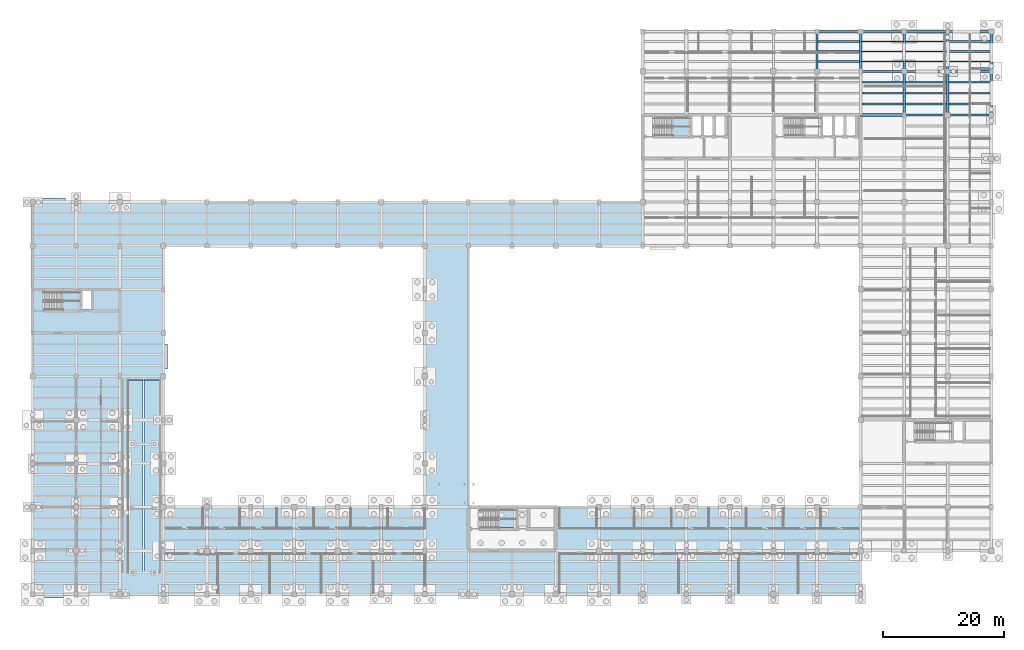
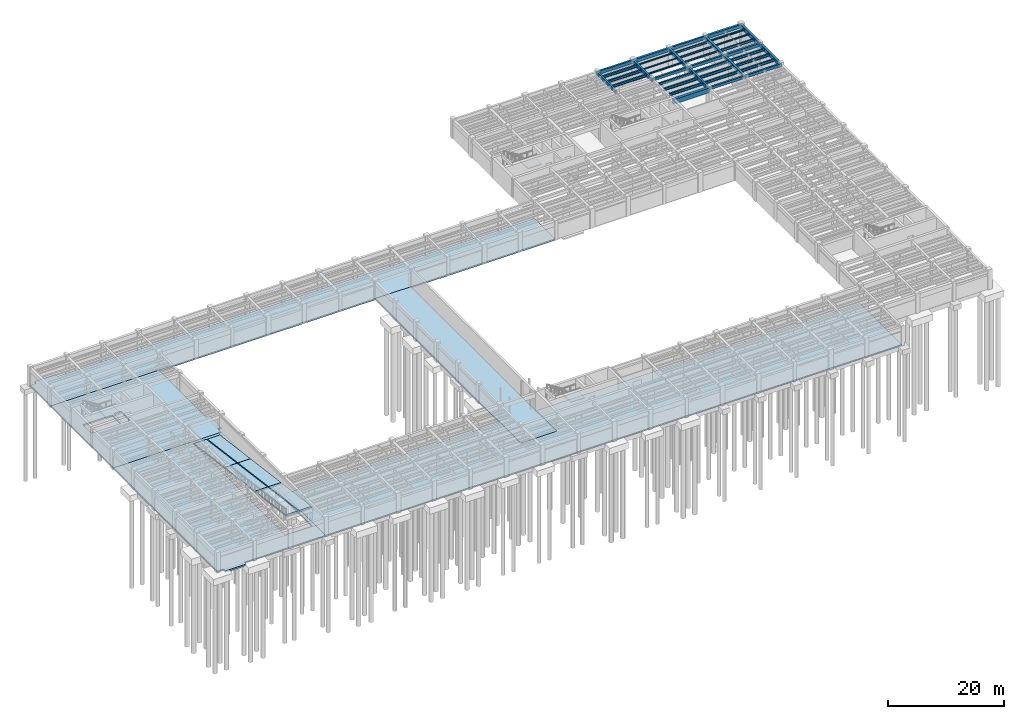
# One storey, part 14 of 33: 39 beams, 14 slabs, 3 elements without a shape of their own.
"""IFC4 building model written with IfcOpenShell, lengths in metres."""

from ifc_helpers import new_model, si_unit, direction, frame, origin, origin_2d, place, context, subcontext, project, spatial, polyline, rectangle, i_section, outline, extrude, material, layer, layer_set, material_profile, profile_set, type_object, element, aggregate, save


model = new_model("IFC4")

# Units and contexts
model_context = context("Model", 3, precision=1e-05, world=origin(), true_north=direction((0.0, 1.0)))
body_context = subcontext(model_context, "Body", "Model", "MODEL_VIEW")
ifc_project = project(units=[si_unit("LENGTHUNIT", "METRE"), si_unit("AREAUNIT", "SQUARE_METRE"), si_unit("VOLUMEUNIT", "CUBIC_METRE"), si_unit("PLANEANGLEUNIT", "RADIAN"), si_unit("MASSUNIT", "GRAM", prefix="KILO")], contexts=[model_context])

# Site, building, storey
site_placement = place(None, origin())
site = spatial("IfcSite", under=ifc_project, at=site_placement, CompositionType="ELEMENT")
building_placement = place(site_placement, origin())
building = spatial("IfcBuilding", under=site, at=building_placement, Name="Mithqara Police Headquarters", CompositionType="ELEMENT")
storey_placement = place(building_placement, frame((0.0, 0.0, -4.199951171875)))
storey = spatial("IfcBuildingStorey", under=building, at=storey_placement, Name="B1", CompositionType="ELEMENT", Elevation=-4.199951171875)

# Beams
ifc_material_1 = material(Name="Steel S355JR", Category="steel")
ifc_material_profile_1 = material_profile(ifc_material_1, i_section(OverallWidth=0.300048828125, OverallDepth=0.550048828125, WebThickness=0.014892578125, FlangeThickness=0.029052734375, FilletRadius=0.027099609375, at=origin_2d()), Name="HEB 550")
ifc_profile_set_1 = profile_set([ifc_material_profile_1], Name="Steel S355JR")
beam_type_1 = type_object("IfcBeamType", Name="BEAM HEB550", PredefinedType="BEAM", material=ifc_profile_set_1)
for number, where, z_axis, x_axis, name in (
    (1, (137.60009765625, 109.050048828125, 3.60498046875), (1.0, 0.0, 0.0), (0.0, 1.0, 0.0), "B1 Composite Steel Joist 20-21/R.1"),
    (2, (137.60009765625, 110.699951171875, 3.60498046875), (1.0, 0.0, 0.0), (0.0, 1.0, 0.0), "B1 Composite Steel Joist 20-21/R.2"),
    (3, (137.60009765625, 112.35009765625, 3.60498046875), (1.0, 0.0, 0.0), (0.0, 1.0, 0.0), "B1 Composite Steel Joist 20-21/R.3"),
):
    element("IfcBeam", number, at=place(storey_placement, frame(where, z_axis=z_axis, x_axis=x_axis)), inside=storey, type_object=beam_type_1, Name=name, PredefinedType="BEAM", context=body_context, shape_type="SweptSolid", body=[
        extrude(i_section(OverallWidth=0.300048828125, OverallDepth=0.550048828125, WebThickness=0.014892578125, FlangeThickness=0.029052734375, FilletRadius=0.027099609375, at=origin_2d()), origin(), (0.0, 0.0, 1.0), 6.7998046875),
    ])
for number, where, z_axis, x_axis, name in (
    (4, (144.800048828125, 102.0, 3.60498046875), (1.0, 0.0, 0.0), (0.0, 1.0, 0.0), "B1 Composite Steel Joist 21-22/Q.1"),
    (5, (144.800048828125, 103.800048828125, 3.60498046875), (1.0, 0.0, 0.0), (0.0, 1.0, 0.0), "B1 Composite Steel Joist 21-22/Q.2"),
    (6, (144.800048828125, 105.60009765625, 3.60498046875), (1.0, 0.0, 0.0), (0.0, 1.0, 0.0), "B1 Composite Steel Joist 21-22/Q.3"),
):
    element("IfcBeam", number, at=place(storey_placement, frame(where, z_axis=z_axis, x_axis=x_axis)), inside=storey, type_object=beam_type_1, Name=name, PredefinedType="BEAM", context=body_context, shape_type="SweptSolid", body=[
        extrude(i_section(OverallWidth=0.300048828125, OverallDepth=0.550048828125, WebThickness=0.014892578125, FlangeThickness=0.029052734375, FilletRadius=0.027099609375, at=origin_2d()), origin(), (0.0, 0.0, 1.0), 6.800048828125),
    ])
for number, where, z_axis, x_axis, name in (
    (7, (152.0, 102.0, 3.60498046875), (1.0, 0.0, 0.0), (0.0, 1.0, 0.0), "B1 Composite Steel Joist 22-23/Q.1"),
    (8, (152.0, 103.800048828125, 3.60498046875), (1.0, 0.0, 0.0), (0.0, 1.0, 0.0), "B1 Composite Steel Joist 22-23/Q.2"),
    (9, (152.0, 105.60009765625, 3.60498046875), (1.0, 0.0, 0.0), (0.0, 1.0, 0.0), "B1 Composite Steel Joist 22-23/Q.3"),
):
    element("IfcBeam", number, at=place(storey_placement, frame(where, z_axis=z_axis, x_axis=x_axis)), inside=storey, type_object=beam_type_1, Name=name, PredefinedType="BEAM", context=body_context, shape_type="SweptSolid", body=[
        extrude(i_section(OverallWidth=0.300048828125, OverallDepth=0.550048828125, WebThickness=0.014892578125, FlangeThickness=0.029052734375, FilletRadius=0.027099609375, at=origin_2d()), origin(), (0.0, 0.0, 1.0), 6.77490234375),
    ])
for number, where, z_axis, x_axis, name in (
    (10, (159.22509765625, 102.0, 3.60498046875), (1.0, 0.0, 0.0), (0.0, 1.0, 0.0), "B1 Composite Steel Joist 23-24/Q.1"),
    (11, (159.22509765625, 103.800048828125, 3.60498046875), (1.0, 0.0, 0.0), (0.0, 1.0, 0.0), "B1 Composite Steel Joist 23-24/Q.2"),
    (12, (159.22509765625, 105.60009765625, 3.60498046875), (1.0, 0.0, 0.0), (0.0, 1.0, 0.0), "B1 Composite Steel Joist 23-24/Q.3"),
):
    element("IfcBeam", number, at=place(storey_placement, frame(where, z_axis=z_axis, x_axis=x_axis)), inside=storey, type_object=beam_type_1, Name=name, PredefinedType="BEAM", context=body_context, shape_type="SweptSolid", body=[
        extrude(i_section(OverallWidth=0.300048828125, OverallDepth=0.550048828125, WebThickness=0.014892578125, FlangeThickness=0.029052734375, FilletRadius=0.027099609375, at=origin_2d()), origin(), (0.0, 0.0, 1.0), 6.75),
    ])
ifc_material_2 = material(Name="Concrete C40/50", Category="concrete")
ifc_material_profile_2 = material_profile(ifc_material_2, rectangle(XDim=0.35009765625, YDim=0.550048828125, at=origin_2d()), Name="RC 350x550")
ifc_profile_set_2 = profile_set([ifc_material_profile_2], Name="Concrete C40/50")
beam_type_2 = type_object("IfcBeamType", Name="BEAM RC350X550", PredefinedType="BEAM", material=ifc_profile_set_2)
for number, where, z_axis, x_axis, name in (
    (13, (144.60009765625, 107.39990234375, 3.60498046875), (1.0, 0.0, 0.0), (0.0, 1.0, 0.0), "B1 Girder 21-22/R"),
    (14, (151.800048828125, 100.199951171875, 3.60498046875), (1.0, 0.0, 0.0), (0.0, 1.0, 0.0), "B1 Girder 22-23/Q"),
):
    element("IfcBeam", number, at=place(storey_placement, frame(where, z_axis=z_axis, x_axis=x_axis)), inside=storey, type_object=beam_type_2, Name=name, PredefinedType="BEAM", context=body_context, shape_type="SweptSolid", body=[
        extrude(rectangle(XDim=0.35009765625, YDim=0.550048828125, at=origin_2d()), origin(), (0.0, 0.0, 1.0), 7.199951171875),
    ])
ifc_material_profile_3 = material_profile(ifc_material_2, rectangle(XDim=0.35009765625, YDim=0.60009765625, at=origin_2d()), Name="RC 350x600")
ifc_profile_set_3 = profile_set([ifc_material_profile_3], Name="Concrete C40/50")
beam_type_3 = type_object("IfcBeamType", Name="BEAM RC350X600", PredefinedType="BEAM", material=ifc_profile_set_3)
for number, where, z_axis, x_axis, name in (
    (15, (151.800048828125, 107.39990234375, 3.579833984375), (1.0, 0.0, 0.0), (0.0, 1.0, 0.0), "B1 Girder 22-23/R"),
    (16, (159.0, 100.199951171875, 3.579833984375), (1.0, 0.0, 0.0), (0.0, 1.0, 0.0), "B1 Girder 23-24/Q"),
):
    element("IfcBeam", number, at=place(storey_placement, frame(where, z_axis=z_axis, x_axis=x_axis)), inside=storey, type_object=beam_type_3, Name=name, PredefinedType="BEAM", context=body_context, shape_type="SweptSolid", body=[
        extrude(rectangle(XDim=0.35009765625, YDim=0.60009765625, at=origin_2d()), origin(), (0.0, 0.0, 1.0), 7.199951171875),
    ])
ifc_material_profile_4 = material_profile(ifc_material_2, rectangle(XDim=0.39990234375, YDim=0.64990234375, at=origin_2d()), Name="RC 400x650")
ifc_profile_set_4 = profile_set([ifc_material_profile_4], Name="Concrete C40/50")
beam_type_4 = type_object("IfcBeamType", Name="BEAM RC400X650", PredefinedType="BEAM", material=ifc_profile_set_4)
beam_1_placement = place(storey_placement, frame((137.39990234375, 107.39990234375, 3.554931640625), z_axis=(0.0, 1.0, 0.0), x_axis=(-1.0, 0.0, 0.0)))
element("IfcBeam", 17, at=beam_1_placement, inside=storey, type_object=beam_type_4, Name="B1 Girder 20/R-S", PredefinedType="BEAM", context=body_context, shape_type="SweptSolid", body=[
    extrude(rectangle(XDim=0.39990234375, YDim=0.64990234375, at=origin_2d()), origin(), (0.0, 0.0, 1.0), 6.60009765625),
])
beam_2_placement = place(storey_placement, frame((159.0, 107.39990234375, 3.554931640625), z_axis=(1.0, 0.0, 0.0), x_axis=(0.0, 1.0, 0.0)))
element("IfcBeam", 18, at=beam_2_placement, inside=storey, type_object=beam_type_4, Name="B1 Girder 23-24/R", PredefinedType="BEAM", context=body_context, shape_type="SweptSolid", body=[
    extrude(rectangle(XDim=0.39990234375, YDim=0.64990234375, at=origin_2d()), origin(), (0.0, 0.0, 1.0), 7.199951171875),
])
ifc_material_profile_5 = material_profile(ifc_material_2, rectangle(XDim=0.39990234375, YDim=0.75, at=origin_2d()), Name="RC 400x750")
ifc_profile_set_5 = profile_set([ifc_material_profile_5], Name="Concrete C40/50")
beam_type_5 = type_object("IfcBeamType", Name="BEAM RC400X750", PredefinedType="BEAM", material=ifc_profile_set_5)
beam_3_placement = place(storey_placement, frame((144.60009765625, 107.39990234375, 3.5048828125), z_axis=(0.0, 1.0, 0.0), x_axis=(-1.0, 0.0, 0.0)))
element("IfcBeam", 19, at=beam_3_placement, inside=storey, type_object=beam_type_5, Name="B1 Girder 21/R-S", PredefinedType="BEAM", context=body_context, shape_type="SweptSolid", body=[
    extrude(rectangle(XDim=0.39990234375, YDim=0.75, at=origin_2d()), origin(), (0.0, 0.0, 1.0), 6.60009765625),
])
beam_4_placement = place(storey_placement, frame((151.800048828125, 100.199951171875, 3.5048828125), z_axis=(0.0, 1.0, 0.0), x_axis=(-1.0, 0.0, 0.0)))
element("IfcBeam", 20, at=beam_4_placement, inside=storey, type_object=beam_type_5, Name="B1 Girder 22/Q-R", PredefinedType="BEAM", context=body_context, shape_type="SweptSolid", body=[
    extrude(rectangle(XDim=0.39990234375, YDim=0.75, at=origin_2d()), origin(), (0.0, 0.0, 1.0), 7.199951171875),
])
ifc_material_profile_6 = material_profile(ifc_material_2, rectangle(XDim=0.449951171875, YDim=0.699951171875, at=origin_2d()), Name="RC 450x700")
ifc_profile_set_6 = profile_set([ifc_material_profile_6], Name="Concrete C40/50")
beam_type_6 = type_object("IfcBeamType", Name="BEAM RC450X700", PredefinedType="BEAM", material=ifc_profile_set_6)
beam_5_placement = place(storey_placement, frame((151.800048828125, 107.39990234375, 3.530029296875), z_axis=(0.0, 1.0, 0.0), x_axis=(-1.0, 0.0, 0.0)))
element("IfcBeam", 21, at=beam_5_placement, inside=storey, type_object=beam_type_6, Name="B1 Girder 22/R-S", PredefinedType="BEAM", context=body_context, shape_type="SweptSolid", body=[
    extrude(rectangle(XDim=0.449951171875, YDim=0.699951171875, at=origin_2d()), origin(), (0.0, 0.0, 1.0), 6.60009765625),
])
beam_6_placement = place(storey_placement, frame((159.0, 100.199951171875, 3.530029296875), z_axis=(0.0, 1.0, 0.0), x_axis=(-1.0, 0.0, 0.0)))
element("IfcBeam", 22, at=beam_6_placement, inside=storey, type_object=beam_type_6, Name="B1 Girder 23/Q-R", PredefinedType="BEAM", context=body_context, shape_type="SweptSolid", body=[
    extrude(rectangle(XDim=0.449951171875, YDim=0.699951171875, at=origin_2d()), origin(), (0.0, 0.0, 1.0), 7.199951171875),
])
ifc_material_profile_7 = material_profile(ifc_material_2, rectangle(XDim=0.449951171875, YDim=0.800048828125, at=origin_2d()), Name="RC 450x800")
ifc_profile_set_7 = profile_set([ifc_material_profile_7], Name="Concrete C40/50")
beam_type_7 = type_object("IfcBeamType", Name="BEAM RC450X800", PredefinedType="BEAM", material=ifc_profile_set_7)
beam_7_placement = place(storey_placement, frame((159.0, 107.39990234375, 3.47998046875), z_axis=(0.0, 1.0, 0.0), x_axis=(-1.0, 0.0, 0.0)))
element("IfcBeam", 23, at=beam_7_placement, inside=storey, type_object=beam_type_7, Name="B1 Girder 23/R-S", PredefinedType="BEAM", context=body_context, shape_type="SweptSolid", body=[
    extrude(rectangle(XDim=0.449951171875, YDim=0.800048828125, at=origin_2d()), origin(), (0.0, 0.0, 1.0), 6.60009765625),
])
beam_8_placement = place(storey_placement, frame((166.199951171875, 100.199951171875, 3.47998046875), z_axis=(0.0, 1.0, 0.0), x_axis=(-1.0, 0.0, 0.0)))
element("IfcBeam", 24, at=beam_8_placement, inside=storey, type_object=beam_type_7, Name="B1 Girder 24/Q-R", PredefinedType="BEAM", context=body_context, shape_type="SweptSolid", body=[
    extrude(rectangle(XDim=0.449951171875, YDim=0.800048828125, at=origin_2d()), origin(), (0.0, 0.0, 1.0), 7.199951171875),
])
ifc_material_profile_8 = material_profile(ifc_material_2, rectangle(XDim=0.5, YDim=0.85009765625, at=origin_2d()), Name="RC 500x850")
ifc_profile_set_8 = profile_set([ifc_material_profile_8], Name="Concrete C40/50")
beam_type_8 = type_object("IfcBeamType", Name="BEAM RC500X850", PredefinedType="BEAM", material=ifc_profile_set_8)
beam_9_placement = place(storey_placement, frame((166.199951171875, 107.39990234375, 3.454833984375), z_axis=(0.0, 1.0, 0.0), x_axis=(-1.0, 0.0, 0.0)))
element("IfcBeam", 25, at=beam_9_placement, inside=storey, type_object=beam_type_8, Name="B1 Girder 24/R-S", PredefinedType="BEAM", context=body_context, shape_type="SweptSolid", body=[
    extrude(rectangle(XDim=0.5, YDim=0.85009765625, at=origin_2d()), origin(), (0.0, 0.0, 1.0), 6.60009765625),
])
ifc_material_3 = material(Name="Concrete C50/60", Category="concrete")
ifc_material_profile_9 = material_profile(ifc_material_3, rectangle(XDim=0.550048828125, YDim=1.0, at=origin_2d()), Name="RC 550x1000")
ifc_profile_set_9 = profile_set([ifc_material_profile_9], Name="Concrete C50/60")
beam_type_9 = type_object("IfcBeamType", Name="BEAM RC550X1000", PredefinedType="BEAM", material=ifc_profile_set_9)
beam_10_placement = place(storey_placement, frame((144.60009765625, 100.199951171875, 3.3798828125), z_axis=(1.0, 0.0, 0.0), x_axis=(0.0, 1.0, 0.0)))
element("IfcBeam", 26, at=beam_10_placement, inside=storey, type_object=beam_type_9, Name="B1 Girder 21-22/Q", PredefinedType="BEAM", context=body_context, shape_type="SweptSolid", body=[
    extrude(rectangle(XDim=0.550048828125, YDim=1.0, at=origin_2d()), origin(), (0.0, 0.0, 1.0), 7.199951171875),
])
ifc_material_profile_10 = material_profile(ifc_material_1, i_section(OverallWidth=0.260009765625, OverallDepth=0.25, WebThickness=0.007568359375, FlangeThickness=0.012451171875, FilletRadius=0.02392578125, at=origin_2d()), Name="HEA 260")
ifc_profile_set_10 = profile_set([ifc_material_profile_10], Name="Steel S355JR")
beam_type_10 = type_object("IfcBeamType", Name="JOIST HEA260", PredefinedType="JOIST", material=ifc_profile_set_10)
beam_11_placement = place(storey_placement, frame((159.22509765625, 110.699951171875, 3.7548828125), z_axis=(1.0, 0.0, 0.0), x_axis=(0.0, 1.0, 0.0)))
element("IfcBeam", 27, at=beam_11_placement, inside=storey, type_object=beam_type_10, Name="B1 Composite Steel Joist 23-24/R.2", PredefinedType="JOIST", context=body_context, shape_type="SweptSolid", body=[
    extrude(i_section(OverallWidth=0.260009765625, OverallDepth=0.25, WebThickness=0.007568359375, FlangeThickness=0.012451171875, FilletRadius=0.02392578125, at=origin_2d()), origin(), (0.0, 0.0, 1.0), 6.724853515625),
])
ifc_material_profile_11 = material_profile(ifc_material_1, i_section(OverallWidth=0.300048828125, OverallDepth=0.2900390625, WebThickness=0.008544921875, FlangeThickness=0.013916015625, FilletRadius=0.027099609375, at=origin_2d()), Name="HEA 300")
ifc_profile_set_11 = profile_set([ifc_material_profile_11], Name="Steel S355JR")
beam_type_11 = type_object("IfcBeamType", Name="JOIST HEA300", PredefinedType="JOIST", material=ifc_profile_set_11)
beam_12_placement = place(storey_placement, frame((159.22509765625, 112.35009765625, 3.73486328125), z_axis=(1.0, 0.0, 0.0), x_axis=(0.0, 1.0, 0.0)))
element("IfcBeam", 28, at=beam_12_placement, inside=storey, type_object=beam_type_11, Name="B1 Composite Steel Joist 23-24/R.3", PredefinedType="JOIST", context=body_context, shape_type="SweptSolid", body=[
    extrude(i_section(OverallWidth=0.300048828125, OverallDepth=0.2900390625, WebThickness=0.008544921875, FlangeThickness=0.013916015625, FilletRadius=0.027099609375, at=origin_2d()), origin(), (0.0, 0.0, 1.0), 6.724853515625),
])
ifc_material_profile_12 = material_profile(ifc_material_1, i_section(OverallWidth=0.1201171875, OverallDepth=0.239990234375, WebThickness=0.006103515625, FlangeThickness=0.009765625, FilletRadius=0.014892578125, at=origin_2d()), Name="IPE 240")
ifc_profile_set_12 = profile_set([ifc_material_profile_12], Name="Steel S355JR")
beam_type_12 = type_object("IfcBeamType", Name="JOIST IPE240", PredefinedType="JOIST", material=ifc_profile_set_12)
beam_13_placement = place(storey_placement, frame((144.800048828125, 109.050048828125, 3.760009765625), z_axis=(1.0, 0.0, 0.0), x_axis=(0.0, 1.0, 0.0)))
element("IfcBeam", 29, at=beam_13_placement, inside=storey, type_object=beam_type_12, Name="B1 Composite Steel Joist 21-22/R.1", PredefinedType="JOIST", context=body_context, shape_type="SweptSolid", body=[
    extrude(i_section(OverallWidth=0.1201171875, OverallDepth=0.239990234375, WebThickness=0.006103515625, FlangeThickness=0.009765625, FilletRadius=0.014892578125, at=origin_2d()), origin(), (0.0, 0.0, 1.0), 6.77490234375),
])
ifc_material_profile_13 = material_profile(ifc_material_1, i_section(OverallWidth=0.135009765625, OverallDepth=0.27001953125, WebThickness=0.006591796875, FlangeThickness=0.01025390625, FilletRadius=0.014892578125, at=origin_2d()), Name="IPE 270")
ifc_profile_set_13 = profile_set([ifc_material_profile_13], Name="Steel S355JR")
beam_type_13 = type_object("IfcBeamType", Name="JOIST IPE270", PredefinedType="JOIST", material=ifc_profile_set_13)
beam_14_placement = place(storey_placement, frame((144.800048828125, 110.699951171875, 3.744873046875), z_axis=(1.0, 0.0, 0.0), x_axis=(0.0, 1.0, 0.0)))
element("IfcBeam", 30, at=beam_14_placement, inside=storey, type_object=beam_type_13, Name="B1 Composite Steel Joist 21-22/R.2", PredefinedType="JOIST", context=body_context, shape_type="SweptSolid", body=[
    extrude(i_section(OverallWidth=0.135009765625, OverallDepth=0.27001953125, WebThickness=0.006591796875, FlangeThickness=0.01025390625, FilletRadius=0.014892578125, at=origin_2d()), origin(), (0.0, 0.0, 1.0), 6.77490234375),
])
ifc_material_profile_14 = material_profile(ifc_material_1, i_section(OverallWidth=0.14990234375, OverallDepth=0.300048828125, WebThickness=0.007080078125, FlangeThickness=0.0107421875, FilletRadius=0.014892578125, at=origin_2d()), Name="IPE 300")
ifc_profile_set_14 = profile_set([ifc_material_profile_14], Name="Steel S355JR")
beam_type_14 = type_object("IfcBeamType", Name="JOIST IPE300", PredefinedType="JOIST", material=ifc_profile_set_14)
beam_15_placement = place(storey_placement, frame((144.800048828125, 112.35009765625, 3.72998046875), z_axis=(1.0, 0.0, 0.0), x_axis=(0.0, 1.0, 0.0)))
element("IfcBeam", 31, at=beam_15_placement, inside=storey, type_object=beam_type_14, Name="B1 Composite Steel Joist 21-22/R.3", PredefinedType="JOIST", context=body_context, shape_type="SweptSolid", body=[
    extrude(i_section(OverallWidth=0.14990234375, OverallDepth=0.300048828125, WebThickness=0.007080078125, FlangeThickness=0.0107421875, FilletRadius=0.014892578125, at=origin_2d()), origin(), (0.0, 0.0, 1.0), 6.77490234375),
])
ifc_material_profile_15 = material_profile(ifc_material_1, i_section(OverallWidth=0.169921875, OverallDepth=0.360107421875, WebThickness=0.008056640625, FlangeThickness=0.0126953125, FilletRadius=0.01806640625, at=origin_2d()), Name="IPE 360")
ifc_profile_set_15 = profile_set([ifc_material_profile_15], Name="Steel S355JR")
beam_type_15 = type_object("IfcBeamType", Name="JOIST IPE360", PredefinedType="JOIST", material=ifc_profile_set_15)
beam_16_placement = place(storey_placement, frame((152.02490234375, 109.050048828125, 3.699951171875), z_axis=(1.0, 0.0, 0.0), x_axis=(0.0, 1.0, 0.0)))
element("IfcBeam", 32, at=beam_16_placement, inside=storey, type_object=beam_type_15, Name="B1 Composite Steel Joist 22-23/R.1", PredefinedType="JOIST", context=body_context, shape_type="SweptSolid", body=[
    extrude(i_section(OverallWidth=0.169921875, OverallDepth=0.360107421875, WebThickness=0.008056640625, FlangeThickness=0.0126953125, FilletRadius=0.01806640625, at=origin_2d()), origin(), (0.0, 0.0, 1.0), 6.75),
])
ifc_material_profile_16 = material_profile(ifc_material_1, i_section(OverallWidth=0.179931640625, OverallDepth=0.39990234375, WebThickness=0.008544921875, FlangeThickness=0.013427734375, FilletRadius=0.02099609375, at=origin_2d()), Name="IPE 400")
ifc_profile_set_16 = profile_set([ifc_material_profile_16], Name="Steel S355JR")
beam_type_16 = type_object("IfcBeamType", Name="JOIST IPE400", PredefinedType="JOIST", material=ifc_profile_set_16)
beam_17_placement = place(storey_placement, frame((152.02490234375, 110.699951171875, 3.679931640625), z_axis=(1.0, 0.0, 0.0), x_axis=(0.0, 1.0, 0.0)))
element("IfcBeam", 33, at=beam_17_placement, inside=storey, type_object=beam_type_16, Name="B1 Composite Steel Joist 22-23/R.2", PredefinedType="JOIST", context=body_context, shape_type="SweptSolid", body=[
    extrude(i_section(OverallWidth=0.179931640625, OverallDepth=0.39990234375, WebThickness=0.008544921875, FlangeThickness=0.013427734375, FilletRadius=0.02099609375, at=origin_2d()), origin(), (0.0, 0.0, 1.0), 6.75),
])
ifc_material_profile_17 = material_profile(ifc_material_1, i_section(OverallWidth=0.18994140625, OverallDepth=0.449951171875, WebThickness=0.009521484375, FlangeThickness=0.0146484375, FilletRadius=0.02099609375, at=origin_2d()), Name="IPE 450")
ifc_profile_set_17 = profile_set([ifc_material_profile_17], Name="Steel S355JR")
beam_type_17 = type_object("IfcBeamType", Name="JOIST IPE450", PredefinedType="JOIST", material=ifc_profile_set_17)
beam_18_placement = place(storey_placement, frame((152.02490234375, 112.35009765625, 3.655029296875), z_axis=(1.0, 0.0, 0.0), x_axis=(0.0, 1.0, 0.0)))
element("IfcBeam", 34, at=beam_18_placement, inside=storey, type_object=beam_type_17, Name="B1 Composite Steel Joist 22-23/R.3", PredefinedType="JOIST", context=body_context, shape_type="SweptSolid", body=[
    extrude(i_section(OverallWidth=0.18994140625, OverallDepth=0.449951171875, WebThickness=0.009521484375, FlangeThickness=0.0146484375, FilletRadius=0.02099609375, at=origin_2d()), origin(), (0.0, 0.0, 1.0), 6.75),
])
ifc_material_profile_18 = material_profile(ifc_material_1, i_section(OverallWidth=0.2099609375, OverallDepth=0.550048828125, WebThickness=0.010986328125, FlangeThickness=0.01708984375, FilletRadius=0.02392578125, at=origin_2d()), Name="IPE 550")
ifc_profile_set_18 = profile_set([ifc_material_profile_18], Name="Steel S355JR")
beam_type_18 = type_object("IfcBeamType", Name="JOIST IPE550", PredefinedType="JOIST", material=ifc_profile_set_18)
beam_19_placement = place(storey_placement, frame((159.22509765625, 109.050048828125, 3.60498046875), z_axis=(1.0, 0.0, 0.0), x_axis=(0.0, 1.0, 0.0)))
element("IfcBeam", 35, at=beam_19_placement, inside=storey, type_object=beam_type_18, Name="B1 Composite Steel Joist 23-24/R.1", PredefinedType="JOIST", context=body_context, shape_type="SweptSolid", body=[
    extrude(i_section(OverallWidth=0.2099609375, OverallDepth=0.550048828125, WebThickness=0.010986328125, FlangeThickness=0.01708984375, FilletRadius=0.02392578125, at=origin_2d()), origin(), (0.0, 0.0, 1.0), 6.724853515625),
])
ifc_material_profile_19 = material_profile(ifc_material_2, rectangle(XDim=0.35009765625, YDim=0.699951171875, at=origin_2d()), Name="SPB 350x700")
ifc_profile_set_19 = profile_set([ifc_material_profile_19], Name="Concrete C40/50")
beam_type_19 = type_object("IfcBeamType", Name="SPANDREL 350X700", PredefinedType="SPANDREL", material=ifc_profile_set_19)
beam_20_placement = place(storey_placement, frame((137.39990234375, 114.0, 3.530029296875), z_axis=(1.0, 0.0, 0.0), x_axis=(0.0, 1.0, 0.0)))
element("IfcBeam", 36, at=beam_20_placement, inside=storey, type_object=beam_type_19, Name="B1 Girder 20-21/S", PredefinedType="SPANDREL", context=body_context, shape_type="SweptSolid", body=[
    extrude(rectangle(XDim=0.35009765625, YDim=0.699951171875, at=origin_2d()), origin(), (0.0, 0.0, 1.0), 7.2001953125),
])
beam_21_placement = place(storey_placement, frame((151.800048828125, 114.0, 3.530029296875), z_axis=(1.0, 0.0, 0.0), x_axis=(0.0, 1.0, 0.0)))
element("IfcBeam", 37, at=beam_21_placement, inside=storey, type_object=beam_type_19, Name="B1 Girder 22-23/S", PredefinedType="SPANDREL", context=body_context, shape_type="SweptSolid", body=[
    extrude(rectangle(XDim=0.35009765625, YDim=0.699951171875, at=origin_2d()), origin(), (0.0, 0.0, 1.0), 7.199951171875),
])
ifc_material_profile_20 = material_profile(ifc_material_2, rectangle(XDim=0.39990234375, YDim=0.75, at=origin_2d()), Name="SPB 400x750")
ifc_profile_set_20 = profile_set([ifc_material_profile_20], Name="Concrete C40/50")
beam_type_20 = type_object("IfcBeamType", Name="SPANDREL 400X750", PredefinedType="SPANDREL", material=ifc_profile_set_20)
for number, where, z_axis, x_axis, name in (
    (38, (144.60009765625, 114.0, 3.5048828125), (1.0, 0.0, 0.0), (0.0, 1.0, 0.0), "B1 Girder 21-22/S"),
    (39, (159.0, 114.0, 3.5048828125), (1.0, 0.0, 0.0), (0.0, 1.0, 0.0), "B1 Girder 23-24/S"),
):
    element("IfcBeam", number, at=place(storey_placement, frame(where, z_axis=z_axis, x_axis=x_axis)), inside=storey, type_object=beam_type_20, Name=name, PredefinedType="SPANDREL", context=body_context, shape_type="SweptSolid", body=[
        extrude(rectangle(XDim=0.39990234375, YDim=0.75, at=origin_2d()), origin(), (0.0, 0.0, 1.0), 7.199951171875),
    ])

# Slabs
ifc_layer_1 = layer(ifc_material_2, 0.300048828125, Name="Concrete C40/50")
ifc_layer_set_1 = layer_set([ifc_layer_1], Name="Concrete C40/50")
slab_type_1 = type_object("IfcSlabType", Name="FLOOR SLAB 300", PredefinedType="FLOOR", material=ifc_layer_set_1)
slab_1_placement = place(storey_placement, frame((0.0, 0.0, -0.300048828125)))
element("IfcSlab", 40, at=slab_1_placement, inside=storey, type_object=slab_type_1, Name="B1 Structural Slab B1-V4", PredefinedType="FLOOR", context=body_context, shape_type="SweptSolid", body=[
    extrude(outline(polyline([(7.800048828125, 78.60009765625), (7.800048828125, 85.800048828125), (9.0, 85.800048828125), (9.0, 86.449951171875), (13.199951171875, 86.449951171875), (13.199951171875, 85.800048828125), (108.60009765625, 85.800048828125), (108.60009765625, 78.60009765625), (7.800048828125, 78.60009765625)])), origin(), (0.0, 0.0, 1.0), 0.300048828125),
])
slab_2_placement = place(storey_placement, frame((0.0, 0.0, -0.300048828125)))
element("IfcSlab", 41, at=slab_2_placement, inside=storey, type_object=slab_type_1, Name="B1 Structural Slab B1-V2", PredefinedType="FLOOR", context=body_context, shape_type="SweptSolid", body=[
    extrude(outline(polyline([(79.800048828125, 28.199951171875), (72.60009765625, 28.199951171875), (72.60009765625, 78.60009765625), (79.800048828125, 78.60009765625), (79.800048828125, 28.199951171875)])), origin(), (0.0, 0.0, 1.0), 0.300048828125),
])
slab_3_placement = place(storey_placement, frame((0.0, 0.0, -0.300048828125)))
element("IfcSlab", 42, at=slab_3_placement, inside=storey, type_object=slab_type_1, Name="B1 Structural Slab B1-V3", PredefinedType="FLOOR", context=body_context, shape_type="SweptSolid", body=[
    extrude(outline(polyline([(9.0, 21.0), (7.800048828125, 21.0), (7.800048828125, 57.0), (29.39990234375, 57.0), (29.39990234375, 21.0), (13.199951171875, 21.0), (13.199951171875, 20.35009765625), (9.0, 20.35009765625), (9.0, 21.0)]), holes=[polyline([(28.820068359375, 24.6298828125), (28.820068359375, 56.35009765625), (23.449951171875, 56.35009765625), (23.449951171875, 24.6298828125), (28.820068359375, 24.6298828125)])]), origin(), (0.0, 0.0, 1.0), 0.300048828125),
])
slab_4_placement = place(storey_placement, frame((0.0, 0.0, -0.300048828125)))
element("IfcSlab", 43, at=slab_4_placement, inside=storey, type_object=slab_type_1, Name="B1 Structural Slab B1-V5W", PredefinedType="FLOOR", context=body_context, shape_type="SweptSolid", body=[
    extrude(outline(polyline([(30.050048828125, 62.39990234375), (30.050048828125, 58.199951171875), (29.39990234375, 58.199951171875), (29.39990234375, 57.0), (7.800048828125, 57.0), (7.800048828125, 78.60009765625), (29.39990234375, 78.60009765625), (29.39990234375, 62.39990234375), (30.050048828125, 62.39990234375)]), holes=[polyline([(9.75, 68.0), (15.60009765625, 68.0), (15.60009765625, 70.89990234375), (9.75, 70.89990234375), (9.75, 68.0)]), polyline([(17.449951171875, 68.070068359375), (17.449951171875, 71.14990234375), (16.030029296875, 71.14990234375), (16.030029296875, 68.070068359375), (17.449951171875, 68.070068359375)])]), origin(), (0.0, 0.0, 1.0), 0.300048828125),
])
slab_5_placement = place(storey_placement, frame((0.0, 0.0, -0.300048828125)))
element("IfcSlab", 44, at=slab_5_placement, inside=storey, type_object=slab_type_1, Name="B1 Structural Slab B1-V5S", PredefinedType="FLOOR", context=body_context, shape_type="SweptSolid", body=[
    extrude(outline(polyline([(144.60009765625, 35.39990234375), (144.60009765625, 21.0), (29.39990234375, 21.0), (29.39990234375, 35.39990234375), (72.60009765625, 35.39990234375), (72.60009765625, 28.199951171875), (79.800048828125, 28.199951171875), (79.800048828125, 35.39990234375), (144.60009765625, 35.39990234375)])), origin(), (0.0, 0.0, 1.0), 0.300048828125),
])
ifc_layer_2 = layer(ifc_material_2, 0.300048828125, Name="Concrete C40/50")
ifc_layer_set_2 = layer_set([ifc_layer_2], Name="Concrete C40/50")
slab_type_2 = type_object("IfcSlabType", Name="RAMP SLAB 300", PredefinedType="USERDEFINED", material=ifc_layer_set_2)
slab_6_placement = place(storey_placement, frame((23.52001953125, 56.39990234375, 0.0), z_axis=(0.0, 0.131174664116, 0.991359272663), x_axis=(1.0, 0.0, 0.0)))
element("IfcSlab", 45, at=slab_6_placement, inside=storey, type_object=slab_type_2, Name="VR-01 Structural Vehicle Ramp Slab W-BOT", ObjectType="RAMP SLAB", PredefinedType="USERDEFINED", context=body_context, shape_type="SweptSolid", body=[
    extrude(outline(polyline([(0.0, 0.0), (2.5, 0.0), (2.5, -10.672048243377318), (0.0, -10.672048243377318), (0.0, 0.0)])), origin(), (0.0, 0.0, -1.0), 0.300048828125),
])
slab_7_placement = place(storey_placement, frame((23.52001953125, 45.780029296875, 1.39990234375), z_axis=(0.0, 0.131438593939, 0.99132431425), x_axis=(1.0, 0.0, 0.0)))
element("IfcSlab", 46, at=slab_7_placement, inside=storey, type_object=slab_type_2, Name="VR-01 Structural Vehicle Ramp Slab W-MAIN", ObjectType="RAMP SLAB", PredefinedType="USERDEFINED", context=body_context, shape_type="SweptSolid", body=[
    extrude(outline(polyline([(0.0, 0.0), (2.5, 0.0), (2.5, -10.652476129104485), (0.0, -10.652476129104485), (0.0, 0.0)])), origin(), (0.0, 0.0, -1.0), 0.300048828125),
])
for number, where, z_axis, x_axis, name in (
    (47, (23.52001953125, 35.179931640625, 2.800048828125), (0.0, 0.131174664116, 0.991359272663), (1.0, 0.0, 0.0), "VR-01 Structural Vehicle Ramp Slab W-TOP"),
    (48, (26.219970703125, 56.39990234375, 0.0), (0.0, 0.131174664116, 0.991359272663), (1.0, 0.0, 0.0), "VR-01 Structural Vehicle Ramp Slab E-BOT"),
):
    element("IfcSlab", number, at=place(storey_placement, frame(where, z_axis=z_axis, x_axis=x_axis)), inside=storey, type_object=slab_type_2, Name=name, ObjectType="RAMP SLAB", PredefinedType="USERDEFINED", context=body_context, shape_type="SweptSolid", body=[
        extrude(outline(polyline([(0.0, 0.0), (2.5, 0.0), (2.5, -10.672048243377318), (0.0, -10.672048243377318), (0.0, 0.0)])), origin(), (0.0, 0.0, -1.0), 0.300048828125),
    ])
slab_8_placement = place(storey_placement, frame((26.219970703125, 45.780029296875, 1.39990234375), z_axis=(0.0, 0.131438593939, 0.99132431425), x_axis=(1.0, 0.0, 0.0)))
element("IfcSlab", 49, at=slab_8_placement, inside=storey, type_object=slab_type_2, Name="VR-01 Structural Vehicle Ramp Slab E-MAIN", ObjectType="RAMP SLAB", PredefinedType="USERDEFINED", context=body_context, shape_type="SweptSolid", body=[
    extrude(outline(polyline([(0.0, 0.0), (2.5, 0.0), (2.5, -10.652476129104485), (0.0, -10.652476129104485), (0.0, 0.0)])), origin(), (0.0, 0.0, -1.0), 0.300048828125),
])
slab_9_placement = place(storey_placement, frame((26.219970703125, 35.179931640625, 2.800048828125), z_axis=(0.0, 0.131174664116, 0.991359272663), x_axis=(1.0, 0.0, 0.0)))
element("IfcSlab", 50, at=slab_9_placement, inside=storey, type_object=slab_type_2, Name="VR-01 Structural Vehicle Ramp Slab E-TOP", ObjectType="RAMP SLAB", PredefinedType="USERDEFINED", context=body_context, shape_type="SweptSolid", body=[
    extrude(outline(polyline([(0.0, 0.0), (2.5, 0.0), (2.5, -10.672048243377318), (0.0, -10.672048243377318), (0.0, 0.0)])), origin(), (0.0, 0.0, -1.0), 0.300048828125),
])

# Stair, slab
stair_type_1 = type_object("IfcStairType", Name="STAIR ST 01-R24", PredefinedType="HALF_TURN_STAIR", material=ifc_material_2)
stair_1_placement = place(storey_placement, origin())
stair_1 = element("IfcStair", 51, at=stair_1_placement, inside=storey, type_object=stair_type_1, Name="B1 Core C1 Command West Exit Stair", PredefinedType="HALF_TURN_STAIR")
ifc_layer_3 = layer(ifc_material_2, 0.199951171875, Name="Concrete C40/50")
ifc_layer_set_3 = layer_set([ifc_layer_3], Name="Concrete C40/50")
slab_type_3 = type_object("IfcSlabType", Name="STAIR LANDING 200", PredefinedType="LANDING", material=ifc_layer_set_3)
slab_10_placement = place(storey_placement, frame((0.0, 0.0, 1.89990234375)))
slab_10 = element("IfcSlab", 52, at=slab_10_placement, type_object=slab_type_3, Name="ST-01 landing 1", PredefinedType="LANDING", context=body_context, shape_type="SweptSolid", body=[
    extrude(outline(polyline([(113.6298828125, 96.800048828125), (116.39990234375, 96.800048828125), (116.39990234375, 99.699951171875), (113.6298828125, 99.699951171875), (113.6298828125, 96.800048828125)])), origin(), (0.0, 0.0, 1.0), 0.199951171875),
])
aggregate(stair_1, [slab_10])

stair_type_2 = type_object("IfcStairType", Name="STAIR ST 03-R24", PredefinedType="HALF_TURN_STAIR", material=ifc_material_2)
stair_2_placement = place(storey_placement, origin())
stair_2 = element("IfcStair", 53, at=stair_2_placement, inside=storey, type_object=stair_type_2, Name="B1 Core C3 Operations West Exit Stair", PredefinedType="HALF_TURN_STAIR")
slab_11_placement = place(storey_placement, frame((0.0, 0.0, 1.89990234375)))
slab_11 = element("IfcSlab", 54, at=slab_11_placement, type_object=slab_type_3, Name="ST-03 landing 1", PredefinedType="LANDING", context=body_context, shape_type="SweptSolid", body=[
    extrude(outline(polyline([(12.830078125, 68.0), (15.60009765625, 68.0), (15.60009765625, 70.89990234375), (12.830078125, 70.89990234375), (12.830078125, 68.0)])), origin(), (0.0, 0.0, 1.0), 0.199951171875),
])
aggregate(stair_2, [slab_11])

stair_type_3 = type_object("IfcStairType", Name="STAIR ST 07-R24", PredefinedType="HALF_TURN_STAIR", material=ifc_material_2)
stair_3_placement = place(storey_placement, origin())
stair_3 = element("IfcStair", 55, at=stair_3_placement, inside=storey, type_object=stair_type_3, Name="B1 Core C5 Courtyard South Exit Stair", PredefinedType="HALF_TURN_STAIR")
slab_12_placement = place(storey_placement, frame((0.0, 0.0, 1.89990234375)))
slab_12 = element("IfcSlab", 56, at=slab_12_placement, type_object=slab_type_3, Name="ST-07 landing 1", PredefinedType="LANDING", context=body_context, shape_type="SweptSolid", body=[
    extrude(outline(polyline([(84.830078125, 32.0), (87.60009765625, 32.0), (87.60009765625, 34.89990234375), (84.830078125, 34.89990234375), (84.830078125, 32.0)])), origin(), (0.0, 0.0, 1.0), 0.199951171875),
])
aggregate(stair_3, [slab_12])

save(model, "model.ifc")
